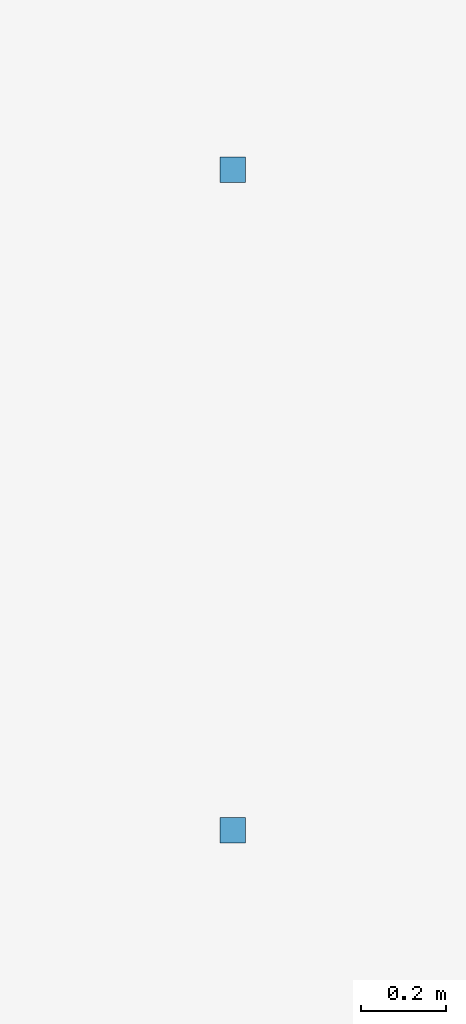
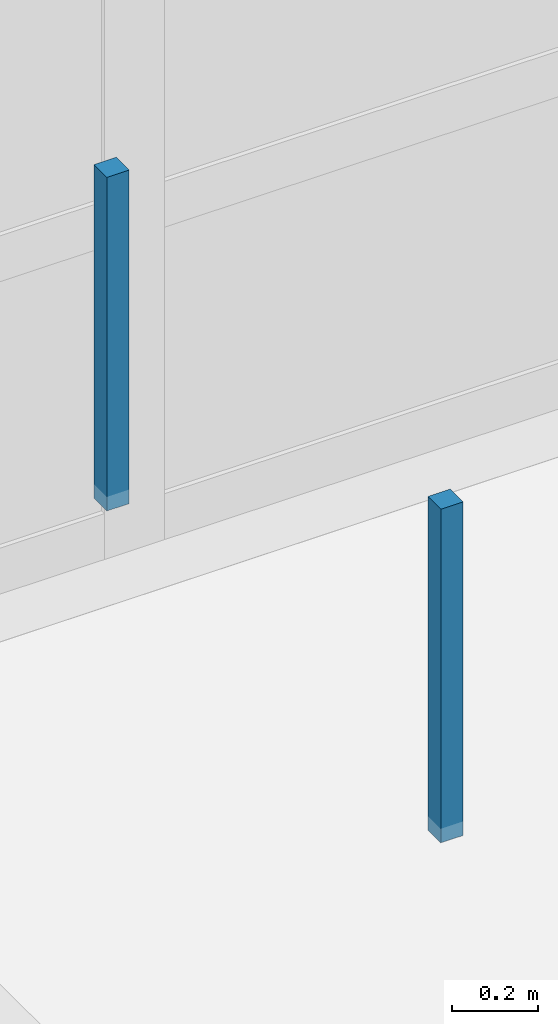
# One storey, part 71 of 122: 2 discrete accessories.
"""IFC4 building model written with IfcOpenShell, lengths in metres."""

from ifc_helpers import new_model, si_unit, direction, frame, origin, origin_2d, place, context, subcontext, project, spatial, rectangle, extrude, material, type_object, element, save


model = new_model("IFC4")

# Units and contexts
model_context = context("Model", 3, precision=1e-05, world=origin(), true_north=direction((0.0, 1.0)))
body_context = subcontext(model_context, "Body", "Model", "MODEL_VIEW")
ifc_project = project(units=[si_unit("LENGTHUNIT", "METRE"), si_unit("AREAUNIT", "SQUARE_METRE"), si_unit("VOLUMEUNIT", "CUBIC_METRE"), si_unit("PLANEANGLEUNIT", "RADIAN"), si_unit("MASSUNIT", "GRAM", prefix="KILO")], contexts=[model_context])

# Site, building, storey
site_placement = place(None, origin())
site = spatial("IfcSite", under=ifc_project, at=site_placement, CompositionType="ELEMENT")
building_placement = place(site_placement, origin())
building = spatial("IfcBuilding", under=site, at=building_placement, Name="Telukmera Botanical Conservatory", CompositionType="ELEMENT")
storey_placement = place(building_placement, frame((0.0, 0.0, 10.199951171875)))
storey = spatial("IfcBuildingStorey", under=building, at=storey_placement, Name="L02", CompositionType="ELEMENT", Elevation=10.199951171875)

# Discrete accessories
ifc_material = material(Name="Steel S355", Category="steel")
discrete_accessory_type = type_object("IfcDiscreteAccessoryType", Name="ACC-CEIL-HGR", PredefinedType="BRACKET", material=ifc_material)
for number, where, z_axis, x_axis, name in (
    (1, (28.174072265625, 68.949951171875, 3.60986328125), (0.0, 0.0, 1.0), (1.0, 0.0, 0.0), "L02 Suspended Ceiling Hanger Rod 016-1"),
    (2, (28.174072265625, 70.5, 3.60986328125), (0.0, 0.0, 1.0), (1.0, 0.0, 0.0), "L02 Suspended Ceiling Hanger Rod 016-2"),
):
    element("IfcDiscreteAccessory", number, at=place(storey_placement, frame(where, z_axis=z_axis, x_axis=x_axis)), inside=storey, type_object=discrete_accessory_type, Name=name, PredefinedType="BRACKET", context=body_context, shape_type="SweptSolid", body=[
        extrude(rectangle(XDim=0.06005859375, YDim=0.06005859375, at=origin_2d()), origin(), (0.0, 0.0, 1.0), 0.945068359375),
    ])

save(model, "model.ifc")
